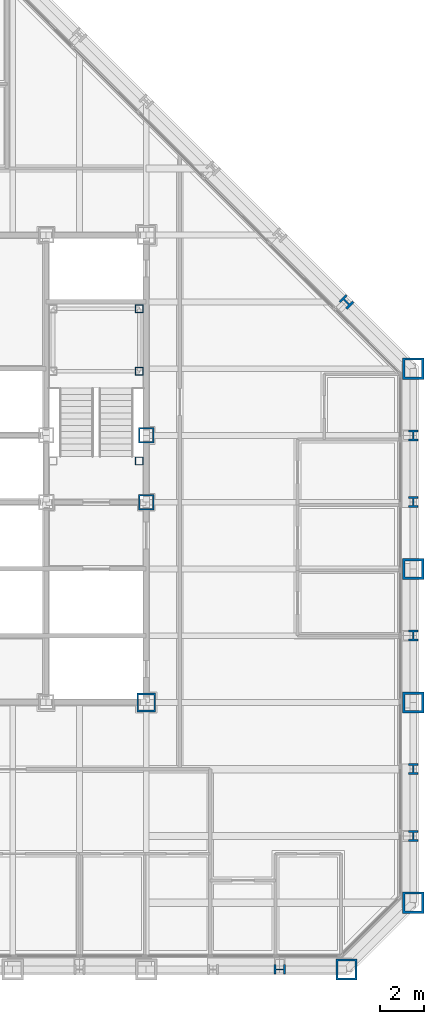
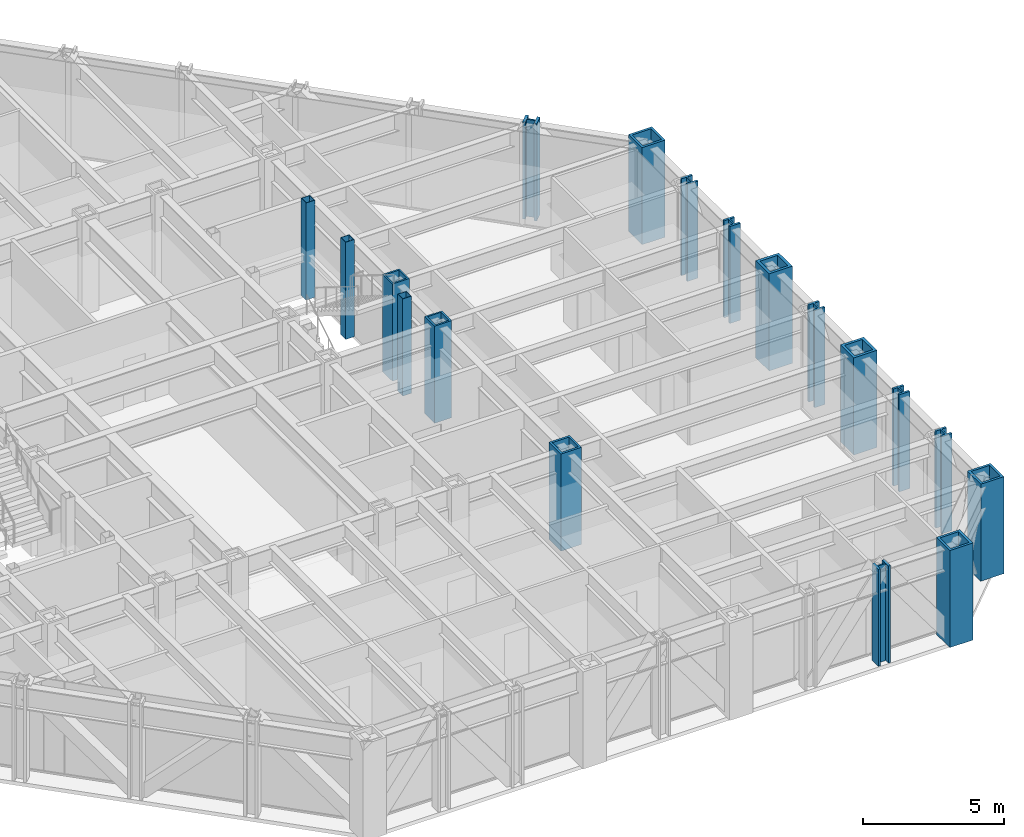
# One storey, part 2 of 16: 18 columns.
"""IFC4 building model written with IfcOpenShell, lengths in metres."""

from ifc_helpers import new_model, si_unit, direction, frame, origin, origin_2d, place, context, subcontext, project, spatial, hollow_rectangle, i_section, extrude, material, material_profile, profile_set, type_object, element, save


model = new_model("IFC4")

# Units and contexts
model_context = context("Model", 3, precision=1e-05, world=origin(), true_north=direction((0.0, 1.0)))
body_context = subcontext(model_context, "Body", "Model", "MODEL_VIEW")
ifc_project = project(units=[si_unit("LENGTHUNIT", "METRE"), si_unit("AREAUNIT", "SQUARE_METRE"), si_unit("VOLUMEUNIT", "CUBIC_METRE"), si_unit("PLANEANGLEUNIT", "RADIAN"), si_unit("MASSUNIT", "GRAM", prefix="KILO")], contexts=[model_context])

# Site, building, storey
site_placement = place(None, origin())
site = spatial("IfcSite", under=ifc_project, at=site_placement, CompositionType="ELEMENT")
building_placement = place(site_placement, origin())
building = spatial("IfcBuilding", under=site, at=building_placement, Name="Chuquiago Exchange Tower", CompositionType="ELEMENT")
storey_placement = place(building_placement, frame((0.0, 0.0, 115.199951171875)))
storey = spatial("IfcBuildingStorey", under=building, at=storey_placement, Name="L24", CompositionType="ELEMENT", Elevation=115.199951171875)

# Columns
ifc_material_1 = material(Name="Steel ASTM A992", Category="steel")
ifc_material_profile_1 = material_profile(ifc_material_1, i_section(OverallWidth=0.431884765625, OverallDepth=0.497802734375, WebThickness=0.0556640625, FlangeThickness=0.0888671875, at=origin_2d()), Name="W14X500")
ifc_profile_set_1 = profile_set([ifc_material_profile_1], Name="Steel ASTM A992")
column_type_1 = type_object("IfcColumnType", Name="C3 W14X500", PredefinedType="COLUMN", material=ifc_profile_set_1)
for number, where, z_axis, x_axis, name in (
    (1, (39.0, 0.0, 0.0), (0.0, 0.0, 1.0), (0.0, -1.0, 0.0), "COL-L24-39_0"),
    (2, (45.0, 6.0, 0.0), (0.0, 0.0, 1.0), (1.0, 0.0, 0.0), "COL-L24-45_6"),
    (3, (45.0, 9.0, 0.0), (0.0, 0.0, 1.0), (1.0, 0.0, 0.0), "COL-L24-45_9"),
    (4, (45.0, 15.0, 0.0), (0.0, 0.0, 1.0), (1.0, 0.0, 0.0), "COL-L24-45_15"),
    (5, (45.0, 21.0, 0.0), (0.0, 0.0, 1.0), (1.0, 0.0, 0.0), "COL-L24-45_21"),
    (6, (45.0, 24.0, 0.0), (0.0, 0.0, 1.0), (1.0, 0.0, 0.0), "COL-L24-45_24"),
):
    element("IfcColumn", number, at=place(storey_placement, frame(where, z_axis=z_axis, x_axis=x_axis)), inside=storey, type_object=column_type_1, Name=name, PredefinedType="COLUMN", context=body_context, shape_type="SweptSolid", body=[
        extrude(i_section(OverallWidth=0.431884765625, OverallDepth=0.497802734375, WebThickness=0.0556640625, FlangeThickness=0.0888671875, at=origin_2d()), origin(), (0.0, 0.0, 1.0), 4.199951171875),
    ])
ifc_material_2 = material(Name="Steel ASTM A572 Grade 50", Category="steel")
ifc_material_profile_2 = material_profile(ifc_material_2, hollow_rectangle(XDim=0.699951171875, YDim=0.699951171875, WallThickness=0.070068359375, at=origin_2d()), Name="BOX700X700X70")
ifc_profile_set_2 = profile_set([ifc_material_profile_2], Name="Steel ASTM A572 Grade 50")
column_type_2 = type_object("IfcColumnType", Name="CC3 BOX700X700X70", PredefinedType="COLUMN", material=ifc_profile_set_2)
for number, where, z_axis, x_axis, name in (
    (7, (33.0, 21.0, 0.0), (0.0, 0.0, 1.0), (1.0, 0.0, 0.0), "CCOL-L24-33_21"),
    (8, (33.0, 24.0, 0.0), (0.0, 0.0, 1.0), (1.0, 0.0, 0.0), "CCOL-L24-33_24"),
):
    element("IfcColumn", number, at=place(storey_placement, frame(where, z_axis=z_axis, x_axis=x_axis)), inside=storey, type_object=column_type_2, Name=name, PredefinedType="COLUMN", context=body_context, shape_type="SweptSolid", body=[
        extrude(hollow_rectangle(XDim=0.699951171875, YDim=0.699951171875, WallThickness=0.070068359375, at=origin_2d()), origin(), (0.0, 0.0, 1.0), 4.199951171875),
    ])
ifc_material_3 = material(Name="Steel ASTM A572 Grade 50", Category="steel")
ifc_material_profile_3 = material_profile(ifc_material_3, hollow_rectangle(XDim=0.85009765625, YDim=0.85009765625, WallThickness=0.0849609375, at=origin_2d()), Name="BOX850X850X85")
ifc_profile_set_3 = profile_set([ifc_material_profile_3], Name="Steel ASTM A572 Grade 50")
column_type_3 = type_object("IfcColumnType", Name="CC6 BOX850X850X85", PredefinedType="COLUMN", material=ifc_profile_set_3)
column_1_placement = place(storey_placement, frame((33.0, 12.0, 0.0), z_axis=(0.0, 0.0, 1.0), x_axis=(1.0, 0.0, 0.0)))
element("IfcColumn", 9, at=column_1_placement, inside=storey, type_object=column_type_3, Name="CCOL-L24-33_12", PredefinedType="COLUMN", context=body_context, shape_type="SweptSolid", body=[
    extrude(hollow_rectangle(XDim=0.85009765625, YDim=0.85009765625, WallThickness=0.0849609375, at=origin_2d()), origin(), (0.0, 0.0, 1.0), 4.199951171875),
])
ifc_material_4 = material(Name="Steel ASTM A992", Category="steel")
ifc_material_profile_4 = material_profile(ifc_material_4, i_section(OverallWidth=0.44189453125, OverallDepth=0.53076171875, WebThickness=0.06591796875, FlangeThickness=0.105712890625, at=origin_2d()), Name="W14X605")
ifc_profile_set_4 = profile_set([ifc_material_profile_4], Name="Steel ASTM A992")
column_type_4 = type_object("IfcColumnType", Name="CK3 W14X605", PredefinedType="COLUMN", material=ifc_profile_set_4)
column_2_placement = place(storey_placement, frame((42.0, 30.0, 0.0), z_axis=(0.0, 0.0, 1.0), x_axis=(0.707106781187, 0.707106781187, 0.0)))
element("IfcColumn", 10, at=column_2_placement, inside=storey, type_object=column_type_4, Name="COL-L24-42_30", PredefinedType="COLUMN", context=body_context, shape_type="SweptSolid", body=[
    extrude(i_section(OverallWidth=0.44189453125, OverallDepth=0.53076171875, WebThickness=0.06591796875, FlangeThickness=0.105712890625, at=origin_2d()), origin(), (0.0, 0.0, 1.0), 4.199951171875),
])
ifc_material_5 = material(Name="Steel ASTM A572 Grade 50", Category="steel")
ifc_material_profile_5 = material_profile(ifc_material_5, hollow_rectangle(XDim=0.949951171875, YDim=0.949951171875, WallThickness=0.094970703125, at=origin_2d()), Name="BOX950X950X95")
ifc_profile_set_5 = profile_set([ifc_material_profile_5], Name="Steel ASTM A572 Grade 50")
column_type_5 = type_object("IfcColumnType", Name="CN1 BOX950X950X95", PredefinedType="COLUMN", material=ifc_profile_set_5)
for number, where, z_axis, x_axis, name in (
    (11, (42.0, 0.0, 0.0), (0.0, 0.0, 1.0), (0.0, -1.0, 0.0), "COL-L24-42_0"),
    (12, (45.0, 3.0, 0.0), (0.0, 0.0, 1.0), (1.0, 0.0, 0.0), "COL-L24-45_3"),
    (13, (45.0, 27.0, 0.0), (0.0, 0.0, 1.0), (1.0, 0.0, 0.0), "COL-L24-45_27"),
):
    element("IfcColumn", number, at=place(storey_placement, frame(where, z_axis=z_axis, x_axis=x_axis)), inside=storey, type_object=column_type_5, Name=name, PredefinedType="COLUMN", context=body_context, shape_type="SweptSolid", body=[
        extrude(hollow_rectangle(XDim=0.949951171875, YDim=0.949951171875, WallThickness=0.094970703125, at=origin_2d()), origin(), (0.0, 0.0, 1.0), 4.199951171875),
    ])
ifc_material_6 = material(Name="Steel ASTM A572 Grade 42", Category="steel")
ifc_material_profile_6 = material_profile(ifc_material_6, hollow_rectangle(XDim=0.949951171875, YDim=0.949951171875, WallThickness=0.110107421875, at=origin_2d()), Name="BOX950X950X110")
ifc_profile_set_6 = profile_set([ifc_material_profile_6], Name="Steel ASTM A572 Grade 42")
column_type_6 = type_object("IfcColumnType", Name="CT1 BOX950X950X110", PredefinedType="COLUMN", material=ifc_profile_set_6)
for number, where, z_axis, x_axis, name in (
    (14, (45.0, 12.0, 0.0), (0.0, 0.0, 1.0), (1.0, 0.0, 0.0), "COL-L24-45_12"),
    (15, (45.0, 18.0, 0.0), (0.0, 0.0, 1.0), (1.0, 0.0, 0.0), "COL-L24-45_18"),
):
    element("IfcColumn", number, at=place(storey_placement, frame(where, z_axis=z_axis, x_axis=x_axis)), inside=storey, type_object=column_type_6, Name=name, PredefinedType="COLUMN", context=body_context, shape_type="SweptSolid", body=[
        extrude(hollow_rectangle(XDim=0.949951171875, YDim=0.949951171875, WallThickness=0.110107421875, at=origin_2d()), origin(), (0.0, 0.0, 1.0), 4.199951171875),
    ])
ifc_material_7 = material(Name="Steel ASTM A500 Grade C", Category="steel")
ifc_material_profile_7 = material_profile(ifc_material_7, hollow_rectangle(XDim=0.355712890625, YDim=0.355712890625, WallThickness=0.0146484375, at=origin_2d()), Name="HSS14X14X5/8")
ifc_profile_set_7 = profile_set([ifc_material_profile_7], Name="Steel ASTM A500 Grade C")
column_type_7 = type_object("IfcColumnType", Name="PT2 HSS14X14X5/8", PredefinedType="COLUMN", material=ifc_profile_set_7)
for number, where, z_axis, x_axis, name in (
    (16, (32.68994140625, 29.68994140625, 0.0), (0.0, 0.0, 1.0), (1.0, 0.0, 0.0), "Stair ST2 L24 landing post"),
    (17, (32.68994140625, 26.889892578125, 0.0), (0.0, 0.0, 1.0), (1.0, 0.0, 0.0), "Stair ST2 L24 landing post"),
    (18, (32.68994140625, 22.85009765625, 0.0), (0.0, 0.0, 1.0), (1.0, 0.0, 0.0), "Stair ST2 L24 landing post"),
):
    element("IfcColumn", number, at=place(storey_placement, frame(where, z_axis=z_axis, x_axis=x_axis)), inside=storey, type_object=column_type_7, Name=name, PredefinedType="COLUMN", context=body_context, shape_type="SweptSolid", body=[
        extrude(hollow_rectangle(XDim=0.355712890625, YDim=0.355712890625, WallThickness=0.0146484375, at=origin_2d()), origin(), (0.0, 0.0, 1.0), 4.199951171875),
    ])

save(model, "model.ifc")
